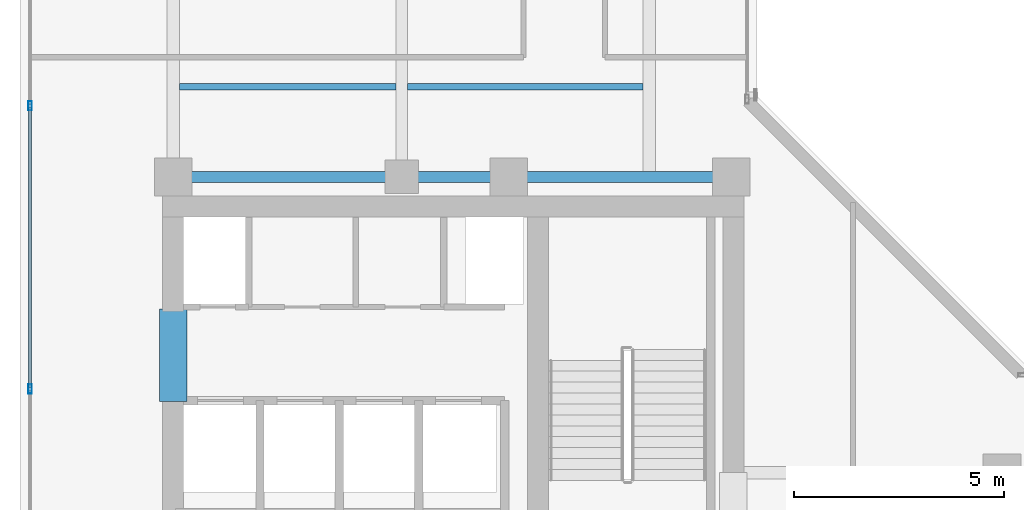
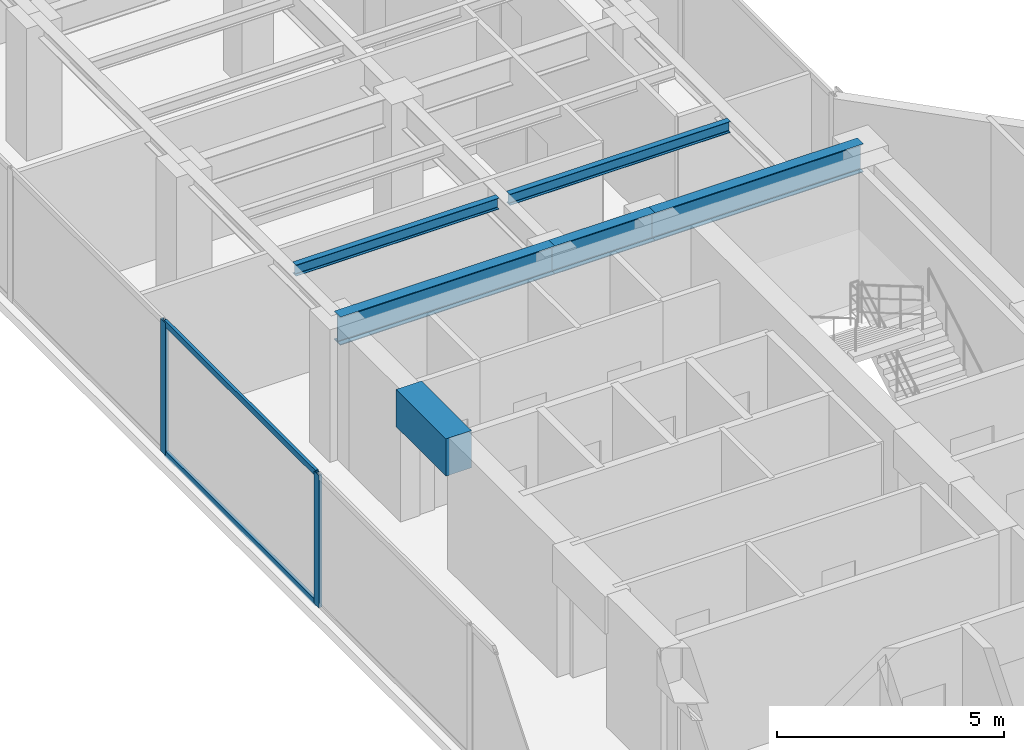
# One storey, part 6 of 22: 6 beams, 4 members, 1 element without a shape of its own.
"""IFC4 building model written with IfcOpenShell, lengths in metres."""

from ifc_helpers import new_model, si_unit, direction, frame, origin, origin_with_axes, origin_2d, place, context, subcontext, project, spatial, rectangle, hollow_rectangle, i_section, extrude, source, transform, mapped, material, layer, layer_set, material_profile, profile_set, type_object, element, aggregate, save


model = new_model("IFC4")

# Units and contexts
model_context = context("Model", 3, precision=1e-05, world=origin(), true_north=direction((0.0, 1.0)))
body_context = subcontext(model_context, "Body", "Model", "MODEL_VIEW")
ifc_project = project(units=[si_unit("LENGTHUNIT", "METRE"), si_unit("AREAUNIT", "SQUARE_METRE"), si_unit("VOLUMEUNIT", "CUBIC_METRE"), si_unit("PLANEANGLEUNIT", "RADIAN"), si_unit("MASSUNIT", "GRAM", prefix="KILO")], contexts=[model_context])

# Site, building, storey
site_placement = place(None, origin())
site = spatial("IfcSite", under=ifc_project, at=site_placement, CompositionType="ELEMENT")
building_placement = place(site_placement, origin())
building = spatial("IfcBuilding", under=site, at=building_placement, Name="Kolvaren Waterfront Exchange", CompositionType="ELEMENT")
storey_placement = place(building_placement, frame((0.0, 0.0, 274.199951171875)))
storey = spatial("IfcBuildingStorey", under=building, at=storey_placement, Name="L70", CompositionType="ELEMENT", Elevation=274.199951171875)

# Beams
ifc_material_1 = material(Name="Steel S355", Category="steel")
ifc_material_profile_1 = material_profile(ifc_material_1, i_section(OverallWidth=0.14990234375, OverallDepth=0.300048828125, WebThickness=0.007080078125, FlangeThickness=0.0107421875, FilletRadius=0.014892578125, at=origin_2d()), Name="IPE300")
ifc_profile_set_1 = profile_set([ifc_material_profile_1], Name="Steel S355")
beam_type_1 = type_object("IfcBeamType", Name="STR-BM-IPE300", PredefinedType="JOIST", material=ifc_profile_set_1)
beam_1_placement = place(storey_placement, frame((7.60205078125, 26.60009765625, 3.41015625), z_axis=(1.0, 0.0, 0.0), x_axis=(0.0, 1.0, 0.0)))
element("IfcBeam", 1, at=beam_1_placement, inside=storey, type_object=beam_type_1, Name="L70 north-arm composite joist 1A", PredefinedType="JOIST", context=body_context, shape_type="SweptSolid", body=[
    extrude(i_section(OverallWidth=0.14990234375, OverallDepth=0.300048828125, WebThickness=0.007080078125, FlangeThickness=0.0107421875, FilletRadius=0.014892578125, at=origin_2d()), origin(), (0.0, 0.0, 1.0), 5.162353515625),
])
beam_2_placement = place(storey_placement, frame((13.035400390625, 26.60009765625, 3.41015625), z_axis=(1.0, 0.0, 0.0), x_axis=(0.0, 1.0, 0.0)))
element("IfcBeam", 2, at=beam_2_placement, inside=storey, type_object=beam_type_1, Name="L70 north-arm composite joist 1B", PredefinedType="JOIST", context=body_context, shape_type="SweptSolid", body=[
    extrude(i_section(OverallWidth=0.14990234375, OverallDepth=0.300048828125, WebThickness=0.007080078125, FlangeThickness=0.0107421875, FilletRadius=0.014892578125, at=origin_2d()), origin(), (0.0, 0.0, 1.0), 5.612548828125),
])
ifc_material_profile_2 = material_profile(ifc_material_1, i_section(OverallWidth=0.26708984375, OverallDepth=0.761962890625, WebThickness=0.014404296875, FlangeThickness=0.021484375, FilletRadius=0.01708984375, at=origin_2d()), Name="IPE750x173")
ifc_profile_set_2 = profile_set([ifc_material_profile_2], Name="Steel S355")
beam_type_2 = type_object("IfcBeamType", Name="STR-BM-IPE750", PredefinedType="BEAM", material=ifc_profile_set_2)
beam_3_placement = place(storey_placement, frame((7.449951171875, 24.449951171875, 3.178955078125), z_axis=(1.0, 0.0, 0.0), x_axis=(0.0, 1.0, 0.0)))
element("IfcBeam", 3, at=beam_3_placement, inside=storey, type_object=beam_type_2, Name="L70 north-arm girder 1A", PredefinedType="BEAM", context=body_context, shape_type="SweptSolid", body=[
    extrude(i_section(OverallWidth=0.26708984375, OverallDepth=0.761962890625, WebThickness=0.014404296875, FlangeThickness=0.021484375, FilletRadius=0.01708984375, at=origin_2d()), origin(), (0.0, 0.0, 1.0), 5.449951171875),
])
beam_4_placement = place(storey_placement, frame((12.89990234375, 24.449951171875, 3.178955078125), z_axis=(1.0, 0.0, 0.0), x_axis=(0.0, 1.0, 0.0)))
element("IfcBeam", 4, at=beam_4_placement, inside=storey, type_object=beam_type_2, Name="L70 north-arm girder 1B", PredefinedType="BEAM", context=body_context, shape_type="SweptSolid", body=[
    extrude(i_section(OverallWidth=0.26708984375, OverallDepth=0.761962890625, WebThickness=0.014404296875, FlangeThickness=0.021484375, FilletRadius=0.01708984375, at=origin_2d()), origin(), (0.0, 0.0, 1.0), 2.550048828125),
])
beam_5_placement = place(storey_placement, frame((15.449951171875, 24.449951171875, 3.178955078125), z_axis=(1.0, 0.0, 0.0), x_axis=(0.0, 1.0, 0.0)))
element("IfcBeam", 5, at=beam_5_placement, inside=storey, type_object=beam_type_2, Name="L70 north-arm girder 1C", PredefinedType="BEAM", context=body_context, shape_type="SweptSolid", body=[
    extrude(i_section(OverallWidth=0.26708984375, OverallDepth=0.761962890625, WebThickness=0.014404296875, FlangeThickness=0.021484375, FilletRadius=0.01708984375, at=origin_2d()), origin(), (0.0, 0.0, 1.0), 5.300048828125),
])
ifc_material_2 = material(Name="Concrete C60/75", Category="concrete")
ifc_material_profile_3 = material_profile(ifc_material_2, rectangle(XDim=0.64990234375, YDim=1.0, at=origin_2d()), Name="RC-CB-1000x650")
ifc_profile_set_3 = profile_set([ifc_material_profile_3], Name="Concrete C60/75")
beam_type_3 = type_object("IfcBeamType", Name="STR-CB-1000", PredefinedType="SPANDREL", material=ifc_profile_set_3)
beam_6_placement = place(storey_placement, frame((7.449951171875, 19.10009765625, 3.06005859375), z_axis=(0.0, 1.0, 0.0), x_axis=(-1.0, 0.0, 0.0)))
element("IfcBeam", 6, at=beam_6_placement, inside=storey, type_object=beam_type_3, Name="L70 core coupling beam 5", PredefinedType="SPANDREL", context=body_context, shape_type="SweptSolid", body=[
    extrude(rectangle(XDim=0.64990234375, YDim=1.0, at=origin_2d()), origin(), (0.0, 0.0, 1.0), 2.199951171875),
])

# Curtain wall, members
ifc_material_3 = material(Name="Anodised aluminium 6063-T6", Category="aluminium")
ifc_layer = layer(ifc_material_3, 0.219970703125, Name="Anodised aluminium 6063-T6")
ifc_layer_set = layer_set([ifc_layer], Name="Anodised aluminium 6063-T6")
curtain_wall_type = type_object("IfcCurtainWallType", Name="ARC-CW-SYS2", PredefinedType="USERDEFINED", material=ifc_layer_set)
curtain_wall_placement = place(storey_placement, origin())
curtain_wall = element("IfcCurtainWall", 7, at=curtain_wall_placement, inside=storey, type_object=curtain_wall_type, Name="L70 stick curtain wall CW2 (CW-L70-W)", ObjectType="STICK CURTAIN WALL", PredefinedType="USERDEFINED")
ifc_material_profile_4 = material_profile(ifc_material_3, hollow_rectangle(XDim=0.080078125, YDim=0.219970703125, WallThickness=0.0048828125, at=origin_2d()), Name="ALU-MUL-220x80x5")
ifc_profile_set_4 = profile_set([ifc_material_profile_4], Name="Anodised aluminium 6063-T6")
member_type_1 = type_object("IfcMemberType", Name="ARC-CWM-220", PredefinedType="MULLION", material=ifc_profile_set_4)
shared_shape_1 = source(origin_with_axes(), body_context, "Body", "SweptSolid", [
    extrude(hollow_rectangle(XDim=0.080078125, YDim=0.219970703125, WallThickness=0.0048828125, at=origin_2d()), origin(), (0.0, 0.0, 1.0), 3.56005859375),
])
member_1_placement = place(storey_placement, frame((4.0400390625, 19.396484375, 0.0), z_axis=(0.0, 0.0, 1.0), x_axis=(-1.0, 0.0, 0.0)))
member_1 = element("IfcMember", 8, at=member_1_placement, type_object=member_type_1, Name="CW2 mullion 3", PredefinedType="MULLION", context=body_context, shape_type="MappedRepresentation", body=[
    mapped(shared_shape_1, transform((0.0, 0.0, 0.0), x_axis=(1.0, 0.0, 0.0), y_axis=(0.0, 1.0, 0.0), z_axis=(0.0, 0.0, 1.0), scale=1.0)),
])
member_2_placement = place(storey_placement, frame((4.0400390625, 26.144775390625, 0.0), z_axis=(0.0, 0.0, 1.0), x_axis=(-1.0, 0.0, 0.0)))
member_2 = element("IfcMember", 9, at=member_2_placement, type_object=member_type_1, Name="CW2 mullion 4", PredefinedType="MULLION", context=body_context, shape_type="MappedRepresentation", body=[
    mapped(shared_shape_1, transform((0.0, 0.0, 0.0), x_axis=(1.0, 0.0, 0.0), y_axis=(0.0, 1.0, 0.0), z_axis=(0.0, 0.0, 1.0), scale=1.0)),
])
ifc_material_profile_5 = material_profile(ifc_material_3, hollow_rectangle(XDim=0.074951171875, YDim=0.159912109375, WallThickness=0.00439453125, at=origin_2d()), Name="ALU-TRN-160x75x4.5")
ifc_profile_set_5 = profile_set([ifc_material_profile_5], Name="Anodised aluminium 6063-T6")
member_type_2 = type_object("IfcMemberType", Name="ARC-CWT-160", PredefinedType="USERDEFINED", material=ifc_profile_set_5)
shared_shape_2 = source(origin_with_axes(), body_context, "Body", "SweptSolid", [
    extrude(hollow_rectangle(XDim=0.074951171875, YDim=0.159912109375, WallThickness=0.00439453125, at=origin_2d()), origin(), (0.0, 0.0, 1.0), 6.668212890625),
])
member_3_placement = place(storey_placement, frame((4.0400390625, 19.4365234375, 0.03759765625), z_axis=(0.0, 1.0, 0.0), x_axis=(-1.0, 0.0, 0.0)))
member_3 = element("IfcMember", 10, at=member_3_placement, type_object=member_type_2, Name="CW2 transom 3.1", ObjectType="TRANSOM", PredefinedType="USERDEFINED", context=body_context, shape_type="MappedRepresentation", body=[
    mapped(shared_shape_2, transform((0.0, 0.0, 0.0), x_axis=(1.0, 0.0, 0.0), y_axis=(0.0, 1.0, 0.0), z_axis=(0.0, 0.0, 1.0), scale=1.0)),
])
member_4_placement = place(storey_placement, frame((4.0400390625, 19.4365234375, 3.5224609375), z_axis=(0.0, 1.0, 0.0), x_axis=(-1.0, 0.0, 0.0)))
member_4 = element("IfcMember", 11, at=member_4_placement, type_object=member_type_2, Name="CW2 transom 3.2", ObjectType="TRANSOM", PredefinedType="USERDEFINED", context=body_context, shape_type="MappedRepresentation", body=[
    mapped(shared_shape_2, transform((0.0, 0.0, 0.0), x_axis=(1.0, 0.0, 0.0), y_axis=(0.0, 1.0, 0.0), z_axis=(0.0, 0.0, 1.0), scale=1.0)),
])
aggregate(curtain_wall, [member_1, member_2, member_3, member_4])

save(model, "model.ifc")
